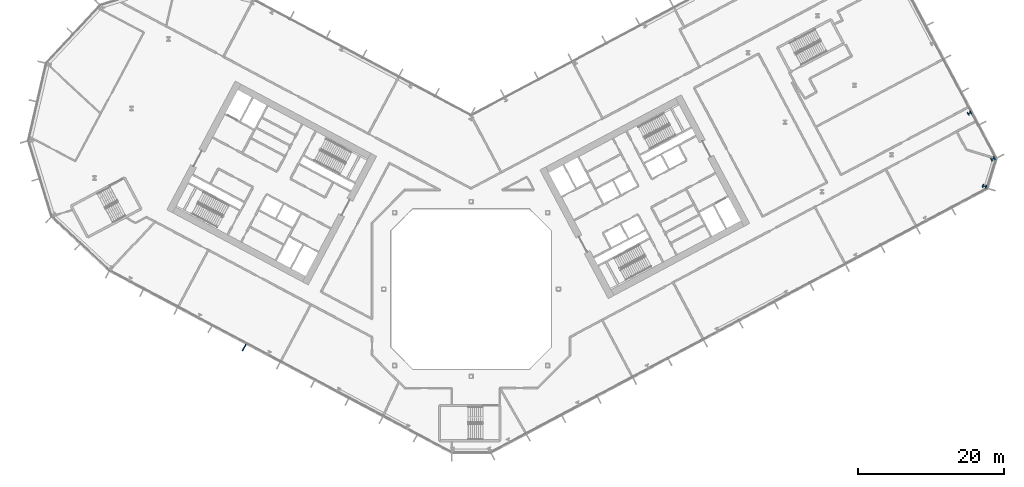
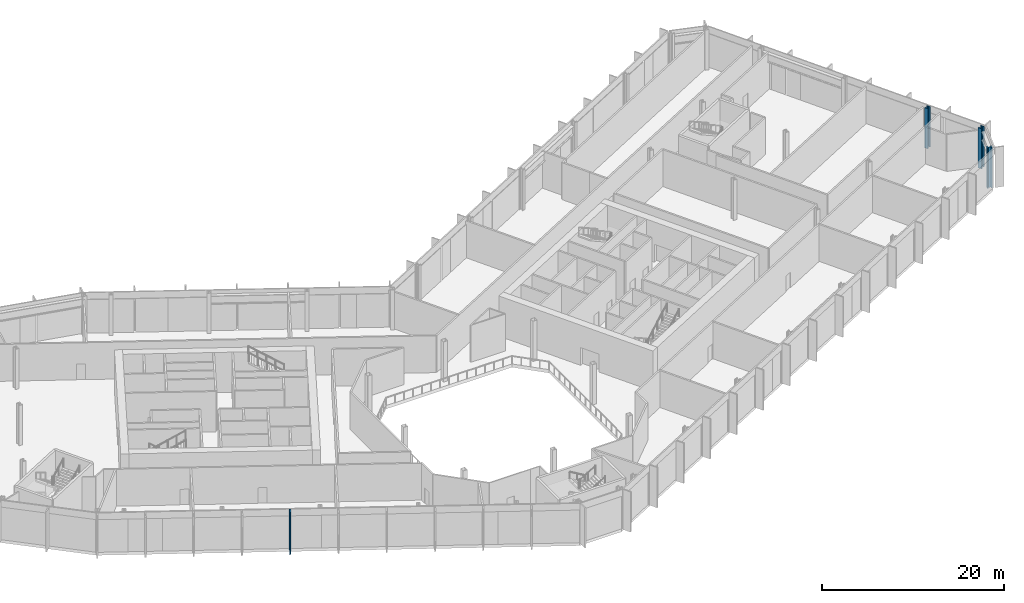
# One storey, part 5 of 31: 3 columns, 1 member, 1 element without a shape of its own.
"""IFC4 building model written with IfcOpenShell, lengths in metres."""

from ifc_helpers import new_model, si_unit, direction, frame, origin, origin_2d, place, context, subcontext, project, spatial, rectangle, i_section, extrude, material, layer, layer_set, material_profile, profile_set, type_object, element, aggregate, save


model = new_model("IFC4")

# Units and contexts
model_context = context("Model", 3, precision=1e-05, world=origin(), true_north=direction((0.0, 1.0)))
body_context = subcontext(model_context, "Body", "Model", "MODEL_VIEW")
ifc_project = project(units=[si_unit("LENGTHUNIT", "METRE"), si_unit("AREAUNIT", "SQUARE_METRE"), si_unit("VOLUMEUNIT", "CUBIC_METRE"), si_unit("PLANEANGLEUNIT", "RADIAN"), si_unit("MASSUNIT", "GRAM", prefix="KILO")], contexts=[model_context])

# Site, building, storey
site_placement = place(None, origin())
site = spatial("IfcSite", under=ifc_project, at=site_placement, CompositionType="ELEMENT")
building_placement = place(site_placement, origin())
building = spatial("IfcBuilding", under=site, at=building_placement, Name="Cormorant Relay Tower", CompositionType="ELEMENT")
storey_placement = place(building_placement, frame((0.0, 0.0, 33.800048828125)))
storey = spatial("IfcBuildingStorey", under=building, at=storey_placement, Name="L06", CompositionType="ELEMENT", Elevation=33.800048828125)

# Columns
ifc_material_1 = material(Name="Steel ASTM A992 (Fy 345 MPa)", Category="steel")
ifc_material_profile_1 = material_profile(ifc_material_1, i_section(OverallWidth=0.45458984375, OverallDepth=0.569091796875, WebThickness=0.077880859375, FlangeThickness=0.124755859375, FilletRadius=0.015380859375, at=origin_2d()), Name="W360x1086")
ifc_profile_set_1 = profile_set([ifc_material_profile_1], Name="Steel ASTM A992 (Fy 345 MPa)")
column_type_1 = type_object("IfcColumnType", Name="Column W360x1086", PredefinedType="COLUMN", material=ifc_profile_set_1)
for number, where, z_axis, x_axis, name in (
    (1, (70.47412109375, 14.10595703125, 0.0), (0.0, 0.0, 1.0), (0.292371704723, 0.956304755963, 0.0), "Column L06-026"),
    (2, (71.625, 17.87109375, 0.0), (0.0, 0.0, 1.0), (-0.469471562786, 0.882947592859, 0.0), "Column L06-028"),
):
    element("IfcColumn", number, at=place(storey_placement, frame(where, z_axis=z_axis, x_axis=x_axis)), inside=storey, type_object=column_type_1, Name=name, PredefinedType="COLUMN", context=body_context, shape_type="SweptSolid", body=[
        extrude(i_section(OverallWidth=0.45458984375, OverallDepth=0.569091796875, WebThickness=0.077880859375, FlangeThickness=0.124755859375, FilletRadius=0.015380859375, at=origin_2d()), origin(), (0.0, 0.0, 1.0), 5.39990234375),
    ])
ifc_material_2 = material(Name="Steel ASTM A992 (Fy 345 MPa)", Category="steel")
ifc_material_profile_2 = material_profile(ifc_material_2, i_section(OverallWidth=0.43701171875, OverallDepth=0.51318359375, WebThickness=0.060546875, FlangeThickness=0.096923828125, FilletRadius=0.015380859375, at=origin_2d()), Name="W360x818")
ifc_profile_set_2 = profile_set([ifc_material_profile_2], Name="Steel ASTM A992 (Fy 345 MPa)")
column_type_2 = type_object("IfcColumnType", Name="Column W360x818", PredefinedType="COLUMN", material=ifc_profile_set_2)
column_placement = place(storey_placement, frame((68.4130859375, 24.14404296875, 0.0), z_axis=(0.0, 0.0, 1.0), x_axis=(-0.469471562786, 0.882947592859, 0.0)))
element("IfcColumn", 3, at=column_placement, inside=storey, type_object=column_type_2, Name="Column L06-033", PredefinedType="COLUMN", context=body_context, shape_type="SweptSolid", body=[
    extrude(i_section(OverallWidth=0.43701171875, OverallDepth=0.51318359375, WebThickness=0.060546875, FlangeThickness=0.096923828125, FilletRadius=0.015380859375, at=origin_2d()), origin(), (0.0, 0.0, 1.0), 5.39990234375),
])

# Curtain wall, member
ifc_material_3 = material(Name="Aluminium 6063-T6 anodised bronze", Category="aluminium")
ifc_layer = layer(ifc_material_3, 0.235107421875)
ifc_layer_set = layer_set([ifc_layer], Name="CW6 data hall curtain wall with mineral wool panels")
curtain_wall_type = type_object("IfcCurtainWallType", Name="CW6 data hall curtain wall with mineral wool panels", PredefinedType="NOTDEFINED", material=ifc_layer_set)
curtain_wall_placement = place(storey_placement, origin())
curtain_wall = element("IfcCurtainWall", 4, at=curtain_wall_placement, inside=storey, type_object=curtain_wall_type, Name="CW6 curtain wall 14", PredefinedType="NOTDEFINED")
ifc_material_4 = material(Name="Aluminium 6063-T6 anodised bronze", Category="aluminium")
ifc_material_profile_3 = material_profile(ifc_material_4, rectangle(XDim=0.14990234375, YDim=1.0, at=origin_2d()), Name="AL 150x1000")
ifc_profile_set_3 = profile_set([ifc_material_profile_3], Name="Aluminium 6063-T6 anodised bronze")
member_type = type_object("IfcMemberType", Name="CW6 bronze fin mullion 150 x 1000", PredefinedType="MULLION", material=ifc_profile_set_3)
member_placement = place(storey_placement, frame((-31.159423828125, -8.048583984375, 0.0), z_axis=(0.0, 0.0, 1.0), x_axis=(0.882947592859, -0.469471562786, 0.0)))
member = element("IfcMember", 5, at=member_placement, type_object=member_type, Name="CW6 fin 14.5", PredefinedType="MULLION", context=body_context, shape_type="SweptSolid", body=[
    extrude(rectangle(XDim=0.14990234375, YDim=1.0, at=origin_2d()), origin(), (0.0, 0.0, 1.0), 5.39990234375),
])
aggregate(curtain_wall, [member])

save(model, "model.ifc")
